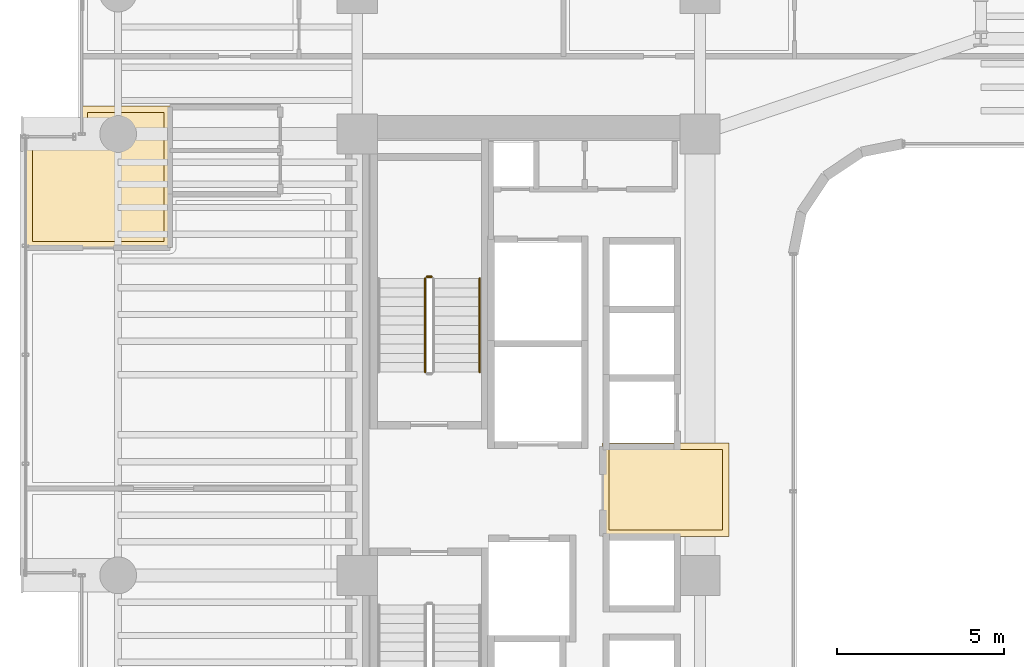
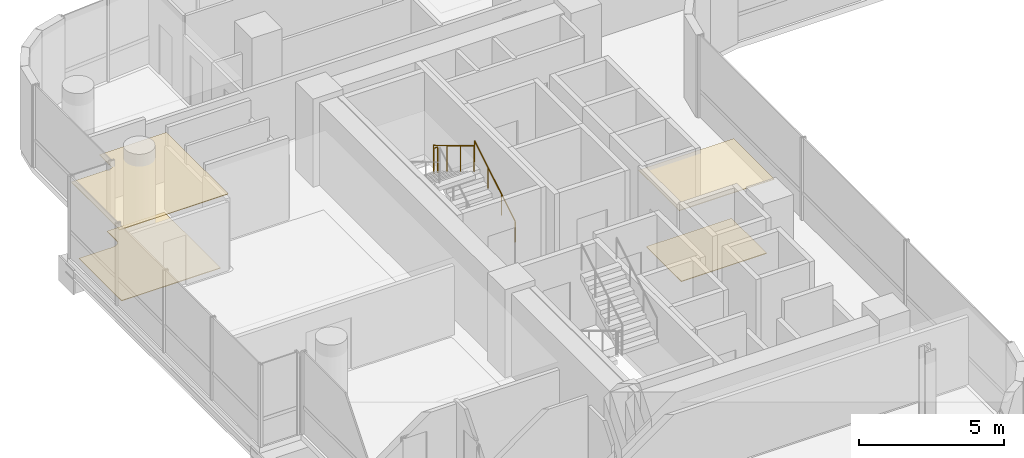
# One storey, part 32 of 35: 4 coverings, 3 railings.
"""IFC4 building model written with IfcOpenShell, lengths in metres."""

from ifc_helpers import new_model, si_unit, direction, frame, origin, origin_2d, place, context, subcontext, project, spatial, polyline, circle, outline, extrude, material, layer, layer_set, type_object, element, save


model = new_model("IFC4")

# Units and contexts
model_context = context("Model", 3, precision=1e-05, world=origin(), true_north=direction((0.0, 1.0)))
body_context = subcontext(model_context, "Body", "Model", "MODEL_VIEW")
ifc_project = project(units=[si_unit("LENGTHUNIT", "METRE"), si_unit("AREAUNIT", "SQUARE_METRE"), si_unit("VOLUMEUNIT", "CUBIC_METRE"), si_unit("PLANEANGLEUNIT", "RADIAN"), si_unit("MASSUNIT", "GRAM", prefix="KILO")], contexts=[model_context])

# Site, building, storey
site_placement = place(None, origin())
site = spatial("IfcSite", under=ifc_project, at=site_placement, CompositionType="ELEMENT")
building_placement = place(site_placement, origin())
building = spatial("IfcBuilding", under=site, at=building_placement, Name="Valdorenza Pilgrim Sanctuary Tower", CompositionType="ELEMENT")
storey_placement = place(building_placement, frame((0.0, 0.0, 105.699951171875)))
storey = spatial("IfcBuildingStorey", under=building, at=storey_placement, Name="L26", CompositionType="ELEMENT", Elevation=105.699951171875)

# Coverings
ifc_material_1 = material(Name="Micro-perforated acoustic mineral ceiling tile", Category="gypsum")
ifc_layer_1 = layer(ifc_material_1, 0.02490234375, Name="Micro-perforated acoustic mineral ceiling tile")
ifc_layer_set_1 = layer_set([ifc_layer_1], Name="Micro-perforated acoustic mineral ceiling tile")
covering_type_1 = type_object("IfcCoveringType", Name="COV-CLG-ACU", PredefinedType="CEILING", material=ifc_layer_set_1)
covering_1_placement = place(storey_placement, frame((0.0, 0.0, 3.16015625)))
element("IfcCovering", 1, at=covering_1_placement, inside=storey, type_object=covering_type_1, Name="L26 Core A Passenger Lift Lobby Acoustic Ceiling", PredefinedType="CEILING", context=body_context, shape_type="SweptSolid", body=[
    extrude(outline(polyline([(-15.31298828125, 1.244384765625), (-15.31298828125, 1.24462890625), (-15.313720703125, 1.24609375), (-15.314208984375, 1.24755859375), (-15.314697265625, 1.2490234375), (-15.31494140625, 1.25048828125), (-15.31494140625, 1.251953125), (-15.31494140625, 1.35009765625), (-15.31494140625, 1.3515625), (-15.314697265625, 1.352783203125), (-15.314453125, 1.3544921875), (-15.31396484375, 1.355712890625), (-15.313232421875, 1.357177734375), (-15.3125, 1.3583984375), (-15.3115234375, 1.359619140625), (-15.310546875, 1.360595703125), (-15.3095703125, 1.361572265625), (-15.308349609375, 1.362548828125), (-15.30712890625, 1.36328125), (-15.3056640625, 1.364013671875), (-15.304443359375, 1.364501953125), (-15.302978515625, 1.36474609375), (-15.301513671875, 1.364990234375), (-15.300048828125, 1.364990234375), (-15.10205078125, 1.364990234375), (-15.1005859375, 1.364990234375), (-15.09912109375, 1.36474609375), (-15.097412109375, 1.3642578125), (-15.09619140625, 1.36376953125), (-15.0947265625, 1.363037109375), (-15.094482421875, 1.363037109375), (-13.185546875, 1.363037109375), (-13.185302734375, 1.363037109375), (-13.183837890625, 1.36376953125), (-13.1826171875, 1.3642578125), (-13.180908203125, 1.36474609375), (-13.179443359375, 1.364990234375), (-13.177978515625, 1.364990234375), (-11.550048828125, 1.364990234375), (-11.548583984375, 1.364990234375), (-11.547119140625, 1.36474609375), (-11.545654296875, 1.364501953125), (-11.544189453125, 1.364013671875), (-11.54296875, 1.36328125), (-11.541748046875, 1.362548828125), (-11.54052734375, 1.361572265625), (-11.539306640625, 1.360595703125), (-11.538330078125, 1.359619140625), (-11.53759765625, 1.3583984375), (-11.536865234375, 1.357177734375), (-11.5361328125, 1.355712890625), (-11.53564453125, 1.3544921875), (-11.535400390625, 1.352783203125), (-11.53515625, 1.3515625), (-11.534912109375, 1.35009765625), (-11.534912109375, -1.419921875), (-11.53515625, -1.42138671875), (-11.535400390625, -1.4228515625), (-11.53564453125, -1.42431640625), (-11.5361328125, -1.42578125), (-11.536865234375, -1.427001953125), (-11.53759765625, -1.42822265625), (-11.538330078125, -1.429443359375), (-11.539306640625, -1.4306640625), (-11.54052734375, -1.431640625), (-11.541748046875, -1.4326171875), (-11.54296875, -1.43310546875), (-11.544189453125, -1.433837890625), (-11.545654296875, -1.434326171875), (-11.547119140625, -1.434814453125), (-11.548583984375, -1.434814453125), (-11.550048828125, -1.43505859375), (-15.298095703125, -1.43505859375), (-15.299560546875, -1.434814453125), (-15.30078125, -1.434814453125), (-15.302490234375, -1.434326171875), (-15.3037109375, -1.433837890625), (-15.30517578125, -1.43310546875), (-15.306396484375, -1.4326171875), (-15.3076171875, -1.431640625), (-15.30859375, -1.4306640625), (-15.3095703125, -1.429443359375), (-15.310546875, -1.42822265625), (-15.311279296875, -1.427001953125), (-15.31201171875, -1.42578125), (-15.3125, -1.42431640625), (-15.312744140625, -1.4228515625), (-15.31298828125, -1.42138671875), (-15.31298828125, -1.419921875), (-15.31298828125, 1.244384765625)])), origin(), (0.0, 0.0, 1.0), 0.02490234375),
])
covering_2_placement = place(storey_placement, frame((0.0, 0.0, 3.16015625)))
element("IfcCovering", 2, at=covering_2_placement, inside=storey, type_object=covering_type_1, Name="L26 Pilgrim Scholar Office L26-1 Acoustic Ceiling", PredefinedType="CEILING", context=body_context, shape_type="SweptSolid", body=[
    extrude(outline(polyline([(-28.237060546875, 8.805419921875), (-28.23681640625, 8.805419921875), (-28.236083984375, 8.803955078125), (-28.235595703125, 8.802490234375), (-28.2353515625, 8.801025390625), (-28.235107421875, 8.799560546875), (-28.235107421875, 8.798095703125), (-28.235107421875, 7.199951171875), (-28.235107421875, 7.198486328125), (-28.2353515625, 7.197021484375), (-28.235595703125, 7.195556640625), (-28.236083984375, 7.1943359375), (-28.23681640625, 7.19287109375), (-28.237548828125, 7.191650390625), (-28.23828125, 7.1904296875), (-28.239501953125, 7.189453125), (-28.240478515625, 7.1884765625), (-28.24169921875, 7.1875), (-28.242919921875, 7.186767578125), (-28.244384765625, 7.18603515625), (-28.24560546875, 7.185546875), (-28.2470703125, 7.185302734375), (-28.24853515625, 7.18505859375), (-28.25, 7.18505859375), (-32.5400390625, 7.18505859375), (-32.54150390625, 7.18505859375), (-32.54296875, 7.185302734375), (-32.54443359375, 7.185546875), (-32.545654296875, 7.18603515625), (-32.547119140625, 7.186767578125), (-32.54833984375, 7.1875), (-32.549560546875, 7.1884765625), (-32.550537109375, 7.189453125), (-32.551513671875, 7.1904296875), (-32.552490234375, 7.191650390625), (-32.55322265625, 7.19287109375), (-32.553955078125, 7.1943359375), (-32.554443359375, 7.195556640625), (-32.5546875, 7.197021484375), (-32.554931640625, 7.198486328125), (-32.554931640625, 7.199951171875), (-32.554931640625, 10.489990234375), (-32.554931640625, 10.491455078125), (-32.5546875, 10.492919921875), (-32.554443359375, 10.494384765625), (-32.553955078125, 10.49560546875), (-32.55322265625, 10.4970703125), (-32.552490234375, 10.498291015625), (-32.551513671875, 10.49951171875), (-32.550537109375, 10.50048828125), (-32.549560546875, 10.501708984375), (-32.54833984375, 10.50244140625), (-32.547119140625, 10.503173828125), (-32.545654296875, 10.50390625), (-32.54443359375, 10.50439453125), (-32.54296875, 10.504638671875), (-32.54150390625, 10.5048828125), (-32.5400390625, 10.5048828125), (-31.00048828125, 10.5048828125), (-30.99072265625, 10.505615234375), (-30.9814453125, 10.5068359375), (-30.972412109375, 10.509033203125), (-30.963623046875, 10.51220703125), (-30.955078125, 10.51611328125), (-30.947265625, 10.52099609375), (-30.939697265625, 10.526611328125), (-30.932861328125, 10.53271484375), (-30.926513671875, 10.539794921875), (-30.9208984375, 10.547119140625), (-30.916259765625, 10.55517578125), (-30.912109375, 10.563720703125), (-30.9091796875, 10.572509765625), (-30.90673828125, 10.58154296875), (-30.905517578125, 10.5908203125), (-30.905029296875, 10.600341796875), (-30.905029296875, 11.419921875), (-30.90478515625, 11.42138671875), (-30.90478515625, 11.4228515625), (-30.904296875, 11.42431640625), (-30.90380859375, 11.42578125), (-30.9033203125, 11.427001953125), (-30.902587890625, 11.42822265625), (-30.901611328125, 11.429443359375), (-30.900634765625, 11.4306640625), (-30.8994140625, 11.431640625), (-30.898193359375, 11.4326171875), (-30.897216796875, 11.43310546875), (-30.895751953125, 11.433837890625), (-30.894287109375, 11.434326171875), (-30.892822265625, 11.434814453125), (-30.8916015625, 11.434814453125), (-30.889892578125, 11.43505859375), (-28.25, 11.43505859375), (-28.24853515625, 11.434814453125), (-28.2470703125, 11.434814453125), (-28.24560546875, 11.434326171875), (-28.244384765625, 11.433837890625), (-28.242919921875, 11.43310546875), (-28.24169921875, 11.4326171875), (-28.240478515625, 11.431640625), (-28.239501953125, 11.4306640625), (-28.23828125, 11.429443359375), (-28.237548828125, 11.42822265625), (-28.23681640625, 11.427001953125), (-28.236083984375, 11.42578125), (-28.235595703125, 11.42431640625), (-28.2353515625, 11.4228515625), (-28.235107421875, 11.42138671875), (-28.235107421875, 11.419921875), (-28.235107421875, 11.402099609375), (-28.235107421875, 11.400390625), (-28.2353515625, 11.39892578125), (-28.235595703125, 11.3974609375), (-28.236083984375, 11.39599609375), (-28.23681640625, 11.394775390625), (-28.237060546875, 11.39453125), (-28.237060546875, 10.103759765625), (-28.23681640625, 10.10302734375), (-28.23681640625, 10.1015625), (-28.23681640625, 10.10009765625), (-28.23681640625, 10.098388671875), (-28.237060546875, 10.09814453125), (-28.237060546875, 8.805419921875)])), origin(), (0.0, 0.0, 1.0), 0.02490234375),
])
ifc_material_2 = material(Name="Honed travertine stone flooring", Category="masonry")
ifc_layer_2 = layer(ifc_material_2, 0.030029296875, Name="Honed travertine stone flooring")
ifc_layer_set_2 = layer_set([ifc_layer_2], Name="Honed travertine stone flooring")
covering_type_2 = type_object("IfcCoveringType", Name="COV-FLR-TRV", PredefinedType="FLOORING", material=ifc_layer_set_2)
covering_3_placement = place(storey_placement, origin())
element("IfcCovering", 3, at=covering_3_placement, inside=storey, type_object=covering_type_2, Name="L26 Core A Passenger Lift Lobby Flooring", PredefinedType="FLOORING", context=body_context, shape_type="SweptSolid", body=[
    extrude(outline(polyline([(-15.117919921875, 1.169189453125), (-15.10888671875, 1.168212890625), (-15.10888671875, 1.168212890625), (-15.10009765625, 1.16796875), (-13.179931640625, 1.16796875), (-13.1796875, 1.16796875), (-11.72998046875, 1.169921875), (-11.72998046875, -1.239990234375), (-15.117919921875, -1.239990234375), (-15.117919921875, 1.169189453125)])), origin(), (0.0, 0.0, 1.0), 0.025146484375),
])
covering_4_placement = place(storey_placement, origin())
element("IfcCovering", 4, at=covering_4_placement, inside=storey, type_object=covering_type_2, Name="L26 Pilgrim Scholar Office L26-1 Flooring", PredefinedType="FLOORING", context=body_context, shape_type="SweptSolid", body=[
    extrude(outline(polyline([(-28.431884765625, 11.239990234375), (-28.431884765625, 10.10205078125), (-28.431884765625, 10.10107421875), (-28.431884765625, 10.100341796875), (-28.431884765625, 10.10009765625), (-28.431884765625, 8.800048828125), (-28.431884765625, 8.7998046875), (-28.43017578125, 7.3798828125), (-32.360107421875, 7.3798828125), (-32.360107421875, 10.31005859375), (-31.0, 10.31005859375), (-30.9912109375, 10.310302734375), (-30.98046875, 10.310791015625), (-30.962890625, 10.3125), (-30.9521484375, 10.314208984375), (-30.934814453125, 10.3173828125), (-30.92431640625, 10.320068359375), (-30.907470703125, 10.3251953125), (-30.897216796875, 10.328857421875), (-30.880859375, 10.335693359375), (-30.87109375, 10.34033203125), (-30.855712890625, 10.3486328125), (-30.84619140625, 10.35400390625), (-30.831787109375, 10.364013671875), (-30.822998046875, 10.370361328125), (-30.809326171875, 10.381591796875), (-30.80126953125, 10.388916015625), (-30.788818359375, 10.4013671875), (-30.781494140625, 10.4091796875), (-30.7705078125, 10.423095703125), (-30.763916015625, 10.431640625), (-30.754150390625, 10.4462890625), (-30.74853515625, 10.45556640625), (-30.740234375, 10.47119140625), (-30.735595703125, 10.48095703125), (-30.72900390625, 10.497314453125), (-30.725341796875, 10.50732421875), (-30.72021484375, 10.5244140625), (-30.717529296875, 10.534912109375), (-30.714111328125, 10.552001953125), (-30.71240234375, 10.562744140625), (-30.710693359375, 10.580322265625), (-30.710205078125, 10.59130859375), (-30.7099609375, 10.60009765625), (-30.7099609375, 11.239990234375), (-28.431884765625, 11.239990234375)])), origin(), (0.0, 0.0, 1.0), 0.025146484375),
])

# Railings
ifc_material_3 = material(Name="Stainless steel Grade 316", Category="steel")
railing_type_1 = type_object("IfcRailingType", Name="RLG-GRD-1120", PredefinedType="GUARDRAIL", material=ifc_material_3)
railing_1_placement = place(storey_placement, frame((-20.419921875, 6.330078125, 1.85009765625)))
element("IfcRailing", 5, at=railing_1_placement, inside=storey, type_object=railing_type_1, Name="L26 ST-A1 stair guard 2", PredefinedType="GUARDRAIL", context=body_context, shape_type="SweptSolid", body=[
    extrude(circle(Radius=0.02392578125, at=origin_2d()), frame((0.0, 0.0, 1.076171875), z_axis=(-1.0, 0.0, 0.0), x_axis=(0.0, -1.0, 0.0)), (0.0, 0.0, 1.0), 0.150146484375),
    extrude(circle(Radius=0.02099609375, at=origin_2d()), origin(), (0.0, 0.0, 1.0), 1.052001953125),
    extrude(circle(Radius=0.02099609375, at=origin_2d()), frame((-0.150146484375, 0.0, 0.0)), (0.0, 0.0, 1.0), 1.052001953125),
])
railing_2_placement = place(storey_placement, frame((-20.6201171875, 6.280029296875, 2.018310546875)))
element("IfcRailing", 6, at=railing_2_placement, inside=storey, type_object=railing_type_1, Name="L26 ST-A1 stair guard 3", PredefinedType="GUARDRAIL", context=body_context, shape_type="SweptSolid", body=[
    extrude(circle(Radius=0.02392578125, at=origin_2d()), frame((0.0, 0.0, 1.076171875), z_axis=(0.0, -0.857275202839, 0.514858452973), x_axis=(1.0, 0.0, 0.0)), (0.0, 0.0, 1.0), 3.26611328125),
    extrude(circle(Radius=0.02099609375, at=origin_2d()), origin(), (0.0, 0.0, 1.0), 1.052001953125),
    extrude(circle(Radius=0.02099609375, at=origin_2d()), frame((0.0, -0.933349609375, 0.560546875)), (0.0, 0.0, 1.0), 1.052001953125),
    extrude(circle(Radius=0.02099609375, at=origin_2d()), frame((0.0, -1.86669921875, 1.12109375)), (0.0, 0.0, 1.0), 1.052001953125),
    extrude(circle(Radius=0.02099609375, at=origin_2d()), frame((0.0, -2.800048828125, 1.681640625)), (0.0, 0.0, 1.0), 1.052001953125),
])
ifc_material_4 = material(Name="Brushed stainless steel Grade 316", Category="steel")
railing_type_2 = type_object("IfcRailingType", Name="RLG-HND-920", PredefinedType="HANDRAIL", material=ifc_material_4)
railing_3_placement = place(storey_placement, frame((-18.989990234375, 3.47998046875, 0.168212890625)))
element("IfcRailing", 7, at=railing_3_placement, inside=storey, type_object=railing_type_2, Name="L26 ST-A1 stair handrail 1", PredefinedType="HANDRAIL", context=body_context, shape_type="SweptSolid", body=[
    extrude(circle(Radius=0.02392578125, at=origin_2d()), frame((0.0, 0.0, 0.8759765625), z_axis=(0.0, 0.857242210791, 0.514913383045), x_axis=(-1.0, 0.0, 0.0)), (0.0, 0.0, 1.0), 3.266357421875),
    extrude(circle(Radius=0.02099609375, at=origin_2d()), origin(), (0.0, 0.0, 1.0), 0.851806640625),
    extrude(circle(Radius=0.02099609375, at=origin_2d()), frame((0.0, 0.933349609375, 0.560546875)), (0.0, 0.0, 1.0), 0.851806640625),
    extrude(circle(Radius=0.02099609375, at=origin_2d()), frame((0.0, 1.86669921875, 1.121337890625)), (0.0, 0.0, 1.0), 0.851806640625),
    extrude(circle(Radius=0.02099609375, at=origin_2d()), frame((0.0, 2.800048828125, 1.681884765625)), (0.0, 0.0, 1.0), 0.851806640625),
])

save(model, "model.ifc")
